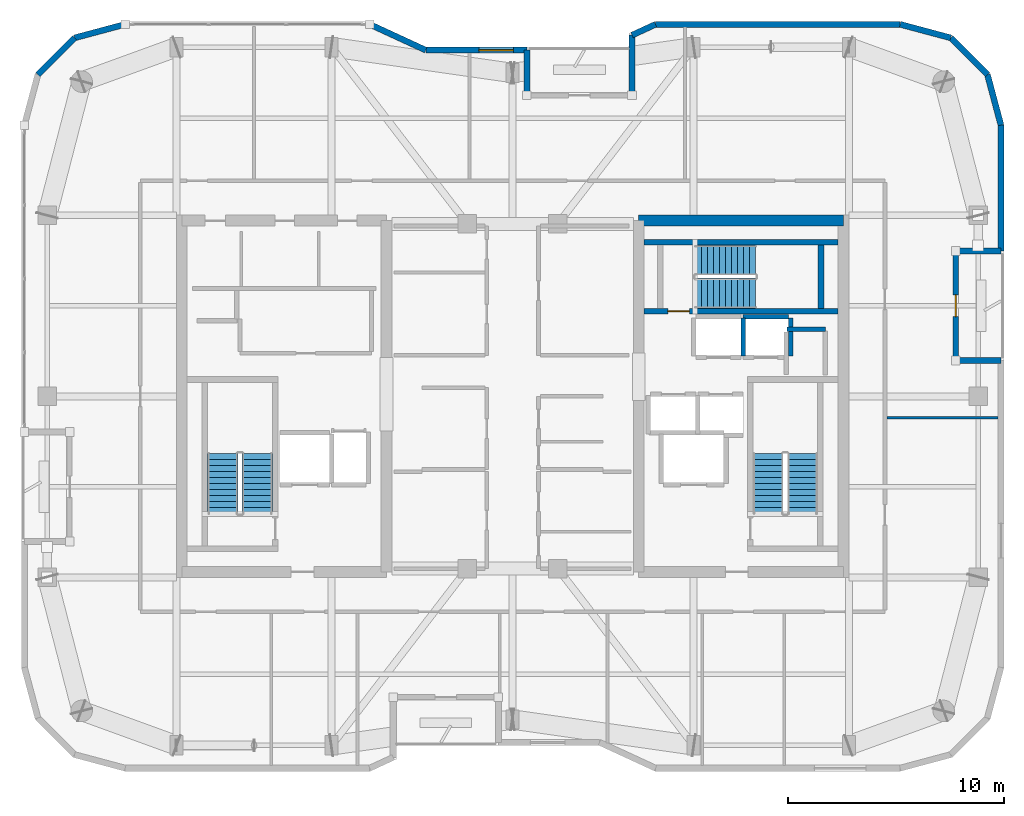
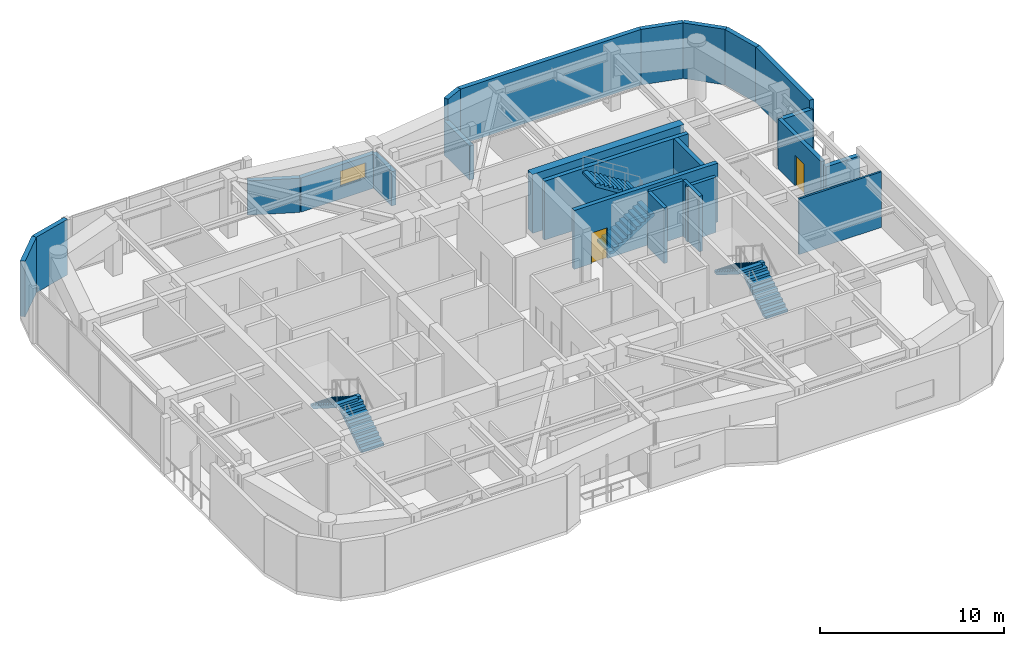
# One storey, part 13 of 15: 24 walls, 6 stair flights, 2 doors, 1 window, 3 openings, 3 elements without a shape of their own.
"""IFC4 building model written with IfcOpenShell, lengths in metres."""

from ifc_helpers import new_model, si_unit, direction, frame, frame_2d, origin, place, context, subcontext, project, spatial, polyline, rectangle, outline, extrude, material, layer, layer_set, type_object, element, fill, aggregate, save


model = new_model("IFC4")

# Units and contexts
model_context = context("Model", 3, precision=1e-05, world=origin(), true_north=direction((0.0, 1.0)))
body_context = subcontext(model_context, "Body", "Model", "MODEL_VIEW")
ifc_project = project(units=[si_unit("LENGTHUNIT", "METRE"), si_unit("AREAUNIT", "SQUARE_METRE"), si_unit("VOLUMEUNIT", "CUBIC_METRE"), si_unit("PLANEANGLEUNIT", "RADIAN"), si_unit("MASSUNIT", "GRAM", prefix="KILO")], contexts=[model_context])

# Site, building, storey
site_placement = place(None, origin())
site = spatial("IfcSite", under=ifc_project, at=site_placement, CompositionType="ELEMENT")
building_placement = place(site_placement, origin())
building = spatial("IfcBuilding", under=site, at=building_placement, Name="Kiyonajd Concourse Tower", CompositionType="ELEMENT")
storey_placement = place(building_placement, frame((0.0, 0.0, 321.89990234375)))
storey = spatial("IfcBuildingStorey", under=building, at=storey_placement, Name="L81", CompositionType="ELEMENT", Elevation=321.89990234375)

# Walls
ifc_material_1 = material(Name="Concrete C60/75", Category="concrete")
ifc_layer_1 = layer(ifc_material_1, 0.5)
ifc_layer_set_1 = layer_set([ifc_layer_1], Name="Concrete C60/75")
wall_type_1 = type_object("IfcWallType", Name="WL-CORE-500", PredefinedType="SHEAR", material=ifc_layer_set_1)
wall_1_placement = place(storey_placement, frame((53.85009765625, 44.14990234375, 0.0), z_axis=(0.0, 0.0, 1.0), x_axis=(1.0, 0.0, 0.0)))
element("IfcWall", 1, at=wall_1_placement, inside=storey, type_object=wall_type_1, Name="L81 East Core North Shear Wall", PredefinedType="SHEAR", context=body_context, shape_type="SweptSolid", body=[
    extrude(rectangle(XDim=9.5, YDim=0.5, at=frame_2d((4.75, 0.0))), origin(), (0.0, 0.0, 1.0), 3.900146484375),
])
ifc_material_2 = material(Name="Precast concrete C50/60", Category="concrete")
ifc_layer_2 = layer(ifc_material_2, 0.280029296875)
ifc_layer_set_2 = layer_set([ifc_layer_2], Name="Precast concrete C50/60")
wall_type_2 = type_object("IfcWallType", Name="WL-EXT-280", PredefinedType="SOLIDWALL", material=ifc_layer_set_2)
wall_2_placement = place(storey_placement, frame((25.968505859375, 50.927490234375, 0.0), z_axis=(0.0, 0.0, 1.0), x_axis=(0.707106781187, 0.707106781187, 0.0)))
element("IfcWall", 2, at=wall_2_placement, inside=storey, type_object=wall_type_2, Name="L81 Exterior Concrete Frame Wall 07", PredefinedType="SOLIDWALL", context=body_context, shape_type="SweptSolid", body=[
    extrude(rectangle(XDim=2.409912109375, YDim=0.280029296875, at=frame_2d((1.205078125, 0.0))), origin(), (0.0, 0.0, 1.0), 3.68017578125),
])
wall_3_placement = place(storey_placement, frame((27.672607421875, 52.631591796875, 0.0), z_axis=(0.0, 0.0, 1.0), x_axis=(0.965937282298, 0.25877628691, 0.0)))
element("IfcWall", 3, at=wall_3_placement, inside=storey, type_object=wall_type_2, Name="L81 Exterior Concrete Frame Wall 08", PredefinedType="SOLIDWALL", context=body_context, shape_type="SweptSolid", body=[
    extrude(rectangle(XDim=2.428466796875, YDim=0.280029296875, at=frame_2d((1.21435546875, 0.0))), origin(), (0.0, 0.0, 1.0), 3.68017578125),
])
wall_4_placement = place(storey_placement, frame((41.369384765625, 53.260009765625, 0.0), z_axis=(0.0, 0.0, 1.0), x_axis=(0.907956889006, -0.419063584324, 0.0)))
element("IfcWall", 4, at=wall_4_placement, inside=storey, type_object=wall_type_2, Name="L81 Exterior Concrete Frame Wall 10", PredefinedType="SOLIDWALL", context=body_context, shape_type="SweptSolid", body=[
    extrude(rectangle(XDim=2.863525390625, YDim=0.280029296875, at=frame_2d((1.431640625, 0.0))), origin(), (0.0, 0.0, 1.0), 2.26513671875),
])

# Wall, opening, window
wall_5_placement = place(storey_placement, frame((43.96923828125, 52.06005859375, 0.0), z_axis=(0.0, 0.0, 1.0), x_axis=(1.0, 0.0, 0.0)))
wall_5 = element("IfcWall", 5, at=wall_5_placement, inside=storey, type_object=wall_type_2, Name="L81 Exterior Concrete Frame Wall 11", PredefinedType="SOLIDWALL", context=body_context, shape_type="SweptSolid", body=[
    extrude(rectangle(XDim=4.690673828125, YDim=0.280029296875, at=frame_2d((2.34521484375, 0.0))), origin(), (0.0, 0.0, 1.0), 2.26513671875),
])
opening_1_placement = place(wall_5_placement, frame((2.466064453125, 0.0, 0.85009765625)))
opening_1 = element("IfcOpeningElement", 6, at=opening_1_placement, cuts=wall_5, Name="Opening WN6", PredefinedType="OPENING", context=body_context, shape_type="SweptSolid", body=[
    extrude(rectangle(XDim=1.60009765625, YDim=1.0, at=frame_2d((0.800048828125, 0.5))), frame((0.0, 0.14990234375, 0.0), z_axis=(0.0, -1.0, 0.0), x_axis=(1.0, 0.0, 0.0)), (0.0, 0.0, 1.0), 0.300048828125),
])
ifc_material_3 = material(Name="Double Low-E Insulated Glass", Category="glass")
window_type = type_object("IfcWindowType", Name="WN-VIS-1600x1000", PartitioningType="SINGLE_PANEL", PredefinedType="WINDOW", material=ifc_material_3)
window_placement = place(opening_1_placement, origin())
window = element("IfcWindow", 7, at=window_placement, inside=storey, type_object=window_type, Name="L81 Modular Facade Vision Window 11", OverallHeight=1.0, OverallWidth=1.60009765625, PartitioningType="SINGLE_PANEL", PredefinedType="WINDOW", context=body_context, shape_type="SweptSolid", body=[
    extrude(rectangle(XDim=1.60009765625, YDim=1.0, at=frame_2d((0.800048828125, 0.5))), frame((0.0, 0.030029296875, 0.0), z_axis=(0.0, -1.0, 0.0), x_axis=(1.0, 0.0, 0.0)), (0.0, 0.0, 1.0), 0.06005859375),
])
fill(opening_1, window)

# Walls
wall_6_placement = place(storey_placement, frame((48.659912109375, 52.06005859375, 0.0), z_axis=(0.0, 0.0, 1.0), x_axis=(0.0, -1.0, 0.0)))
element("IfcWall", 8, at=wall_6_placement, inside=storey, type_object=wall_type_2, Name="L81 Exterior Concrete Frame Wall 12", PredefinedType="SOLIDWALL", context=body_context, shape_type="SweptSolid", body=[
    extrude(rectangle(XDim=2.10009765625, YDim=0.280029296875, at=frame_2d((1.050048828125, 0.0))), origin(), (0.0, 0.0, 1.0), 2.26513671875),
])
wall_7_placement = place(storey_placement, frame((53.5400390625, 49.9599609375, 0.0), z_axis=(0.0, 0.0, 1.0), x_axis=(0.0, 1.0, 0.0)))
element("IfcWall", 9, at=wall_7_placement, inside=storey, type_object=wall_type_2, Name="L81 Exterior Concrete Frame Wall 14", PredefinedType="SOLIDWALL", context=body_context, shape_type="SweptSolid", body=[
    extrude(rectangle(XDim=2.79638671875, YDim=0.280029296875, at=frame_2d((1.398193359375, 0.0))), origin(), (0.0, 0.0, 1.0), 2.26513671875),
])
wall_8_placement = place(storey_placement, frame((53.5400390625, 52.75634765625, 0.0), z_axis=(0.0, 0.0, 1.0), x_axis=(0.907893953211, 0.419199916176, 0.0)))
element("IfcWall", 10, at=wall_8_placement, inside=storey, type_object=wall_type_2, Name="L81 Exterior Concrete Frame Wall 15", PredefinedType="SOLIDWALL", context=body_context, shape_type="SweptSolid", body=[
    extrude(rectangle(XDim=1.201416015625, YDim=0.280029296875, at=frame_2d((0.6005859375, 0.0))), origin(), (0.0, 0.0, 1.0), 3.68017578125),
])
wall_9_placement = place(storey_placement, frame((54.630859375, 53.260009765625, 0.0), z_axis=(0.0, 0.0, 1.0), x_axis=(1.0, 0.0, 0.0)))
element("IfcWall", 11, at=wall_9_placement, inside=storey, type_object=wall_type_2, Name="L81 Exterior Concrete Frame Wall 16", PredefinedType="SOLIDWALL", context=body_context, shape_type="SweptSolid", body=[
    extrude(rectangle(XDim=11.350830078125, YDim=0.280029296875, at=frame_2d((5.67529296875, 0.0))), origin(), (0.0, 0.0, 1.0), 3.68017578125),
])
wall_10_placement = place(storey_placement, frame((65.981689453125, 53.260009765625, 0.0), z_axis=(0.0, 0.0, 1.0), x_axis=(0.965937282298, -0.25877628691, 0.0)))
element("IfcWall", 12, at=wall_10_placement, inside=storey, type_object=wall_type_2, Name="L81 Exterior Concrete Frame Wall 17", PredefinedType="SOLIDWALL", context=body_context, shape_type="SweptSolid", body=[
    extrude(rectangle(XDim=2.428466796875, YDim=0.280029296875, at=frame_2d((1.21435546875, 0.0))), origin(), (0.0, 0.0, 1.0), 3.68017578125),
])
wall_11_placement = place(storey_placement, frame((68.327392578125, 52.631591796875, 0.0), z_axis=(0.0, 0.0, 1.0), x_axis=(0.707106781187, -0.707106781187, 0.0)))
element("IfcWall", 13, at=wall_11_placement, inside=storey, type_object=wall_type_2, Name="L81 Exterior Concrete Frame Wall 18", PredefinedType="SOLIDWALL", context=body_context, shape_type="SweptSolid", body=[
    extrude(rectangle(XDim=2.409912109375, YDim=0.280029296875, at=frame_2d((1.205078125, 0.0))), origin(), (0.0, 0.0, 1.0), 3.68017578125),
])
wall_12_placement = place(storey_placement, frame((70.031494140625, 50.927490234375, 0.0), z_axis=(0.0, 0.0, 1.0), x_axis=(0.258751159445, -0.965944013639, 0.0)))
element("IfcWall", 14, at=wall_12_placement, inside=storey, type_object=wall_type_2, Name="L81 Exterior Concrete Frame Wall 19", PredefinedType="SOLIDWALL", context=body_context, shape_type="SweptSolid", body=[
    extrude(rectangle(XDim=2.4287109375, YDim=0.280029296875, at=frame_2d((1.21435546875, 0.0))), origin(), (0.0, 0.0, 1.0), 3.68017578125),
])
wall_13_placement = place(storey_placement, frame((70.659912109375, 48.58154296875, 0.0), z_axis=(0.0, 0.0, 1.0), x_axis=(0.0, -1.0, 0.0)))
element("IfcWall", 15, at=wall_13_placement, inside=storey, type_object=wall_type_2, Name="L81 Exterior Concrete Frame Wall 20", PredefinedType="SOLIDWALL", context=body_context, shape_type="SweptSolid", body=[
    extrude(rectangle(XDim=5.841552734375, YDim=0.280029296875, at=frame_2d((2.9208984375, 0.0))), origin(), (0.0, 0.0, 1.0), 3.68017578125),
])
for number, where, z_axis, x_axis, name in (
    (16, (70.659912109375, 42.739990234375, 0.0), (0.0, 0.0, 1.0), (-1.0, 0.0, 0.0), "L81 Exterior Concrete Frame Wall 21"),
    (17, (68.56005859375, 37.659912109375, 0.0), (0.0, 0.0, 1.0), (1.0, 0.0, 0.0), "L81 Exterior Concrete Frame Wall 23"),
):
    element("IfcWall", number, at=place(storey_placement, frame(where, z_axis=z_axis, x_axis=x_axis)), inside=storey, type_object=wall_type_2, Name=name, PredefinedType="SOLIDWALL", context=body_context, shape_type="SweptSolid", body=[
        extrude(rectangle(XDim=2.099853515625, YDim=0.280029296875, at=frame_2d((1.0498046875, 0.0))), origin(), (0.0, 0.0, 1.0), 3.1259765625),
    ])

# Wall, opening, door
ifc_layer_3 = layer(ifc_material_2, 0.239990234375)
ifc_layer_set_3 = layer_set([ifc_layer_3], Name="Precast concrete C50/60")
wall_type_3 = type_object("IfcWallType", Name="WL-LOG-240", PredefinedType="SOLIDWALL", material=ifc_layer_set_3)
wall_14_placement = place(storey_placement, frame((68.56005859375, 42.544921875, 0.0), z_axis=(0.0, 0.0, 1.0), x_axis=(0.0, -1.0, 0.0)))
wall_14 = element("IfcWall", 18, at=wall_14_placement, inside=storey, type_object=wall_type_3, Name="L81 Recessed Loggia Thermal Wall LOG-E", PredefinedType="SOLIDWALL", context=body_context, shape_type="SweptSolid", body=[
    extrude(rectangle(XDim=4.68994140625, YDim=0.239990234375, at=frame_2d((2.344970703125, 0.0))), origin(), (0.0, 0.0, 1.0), 3.31103515625),
])
opening_2_placement = place(wall_14_placement, frame((1.844970703125, 0.0, 0.0)))
opening_2 = element("IfcOpeningElement", 19, at=opening_2_placement, cuts=wall_14, Name="Opening DL1", PredefinedType="OPENING", context=body_context, shape_type="SweptSolid", body=[
    extrude(rectangle(XDim=1.0, YDim=2.02001953125, at=frame_2d((0.5, 1.010009765625))), frame((0.0, 0.1298828125, 0.0), z_axis=(0.0, -1.0, 0.0), x_axis=(1.0, 0.0, 0.0)), (0.0, 0.0, 1.0), 0.260009765625),
])
ifc_material_4 = material(Name="Thermally Broken Anodised Aluminium", Category="aluminium")
door_type_1 = type_object("IfcDoorType", Name="DR-LOG-1000", OperationType="NOTDEFINED", PredefinedType="DOOR", material=ifc_material_4)
door_1_placement = place(opening_2_placement, origin())
door_1 = element("IfcDoor", 20, at=door_1_placement, inside=storey, type_object=door_type_1, Name="L81 Engawa Loggia Access Door LOG-E", OperationType="SINGLE_SWING_LEFT", OverallHeight=2.02001953125, OverallWidth=1.0, PredefinedType="DOOR", context=body_context, shape_type="SweptSolid", body=[
    extrude(rectangle(XDim=1.0, YDim=2.02001953125, at=frame_2d((0.5, 1.010009765625))), frame((0.0, 0.02490234375, 0.0), z_axis=(0.0, -1.0, 0.0), x_axis=(1.0, 0.0, 0.0)), (0.0, 0.0, 1.0), 0.050048828125),
])
fill(opening_2, door_1)

# Walls
ifc_material_5 = material(Name="Gypsum Board on Cold-Formed Steel Stud", Category="steel")
ifc_layer_4 = layer(ifc_material_5, 0.125)
ifc_layer_set_4 = layer_set([ifc_layer_4], Name="Gypsum Board on Cold-Formed Steel Stud")
wall_type_4 = type_object("IfcWallType", Name="WL-PART-125", PredefinedType="PARTITIONING", material=ifc_layer_set_4)
wall_15_placement = place(storey_placement, frame((65.362060546875, 35.0, 0.0), z_axis=(0.0, 0.0, 1.0), x_axis=(1.0, 0.0, 0.0)))
element("IfcWall", 21, at=wall_15_placement, inside=storey, type_object=wall_type_4, Name="L81 Interior Partition Wall", PredefinedType="PARTITIONING", context=body_context, shape_type="SweptSolid", body=[
    extrude(rectangle(XDim=5.162841796875, YDim=0.125, at=frame_2d((2.58154296875, 0.0))), origin(), (0.0, 0.0, 1.0), 3.68017578125),
])
ifc_layer_5 = layer(ifc_material_5, 0.2099609375)
ifc_layer_set_5 = layer_set([ifc_layer_5], Name="Gypsum Board on Cold-Formed Steel Stud")
wall_type_5 = type_object("IfcWallType", Name="WL-SHAFT-210", PredefinedType="PARTITIONING", material=ifc_layer_set_5)
wall_16_placement = place(storey_placement, frame((60.719970703125, 39.10009765625, 0.0), z_axis=(0.0, 0.0, 1.0), x_axis=(1.0, 0.0, 0.0)))
element("IfcWall", 22, at=wall_16_placement, inside=storey, type_object=wall_type_5, Name="L81 Shaft Enclosure Wall", PredefinedType="PARTITIONING", context=body_context, shape_type="SweptSolid", body=[
    extrude(rectangle(XDim=1.800048828125, YDim=0.2099609375, at=frame_2d((0.89990234375, 0.0))), origin(), (0.0, 0.0, 1.0), 3.68017578125),
])
wall_17_placement = place(storey_placement, frame((58.699951171875, 37.860107421875, 0.0), z_axis=(0.0, 0.0, 1.0), x_axis=(0.0, 1.0, 0.0)))
element("IfcWall", 23, at=wall_17_placement, inside=storey, type_object=wall_type_5, Name="L81 Shaft Enclosure Wall", PredefinedType="PARTITIONING", context=body_context, shape_type="SweptSolid", body=[
    extrude(rectangle(XDim=1.77978515625, YDim=0.2099609375, at=frame_2d((0.889892578125, 0.0))), origin(), (0.0, 0.0, 1.0), 3.68017578125),
])
wall_18_placement = place(storey_placement, frame((58.699951171875, 39.699951171875, 0.0), z_axis=(0.0, 0.0, 1.0), x_axis=(1.0, 0.0, 0.0)))
element("IfcWall", 24, at=wall_18_placement, inside=storey, type_object=wall_type_5, Name="L81 Shaft Enclosure Wall", PredefinedType="PARTITIONING", context=body_context, shape_type="SweptSolid", body=[
    extrude(rectangle(XDim=2.10009765625, YDim=0.2099609375, at=frame_2d((1.050048828125, 0.0))), origin(), (0.0, 0.0, 1.0), 3.68017578125),
])
wall_19_placement = place(storey_placement, frame((60.89990234375, 37.860107421875, 0.0), z_axis=(0.0, 0.0, 1.0), x_axis=(0.0, 1.0, 0.0)))
element("IfcWall", 25, at=wall_19_placement, inside=storey, type_object=wall_type_5, Name="L81 Shaft Enclosure Wall", PredefinedType="PARTITIONING", context=body_context, shape_type="SweptSolid", body=[
    extrude(rectangle(XDim=1.77978515625, YDim=0.2099609375, at=frame_2d((0.889892578125, 0.0))), origin(), (0.0, 0.0, 1.0), 3.68017578125),
])

# Wall, opening, door
ifc_material_6 = material(Name="Concrete C50/60", Category="concrete")
ifc_layer_6 = layer(ifc_material_6, 0.260009765625)
ifc_layer_set_6 = layer_set([ifc_layer_6], Name="Concrete C50/60")
wall_type_6 = type_object("IfcWallType", Name="WL-STAIR-260", PredefinedType="SHEAR", material=ifc_layer_set_6)
wall_20_placement = place(storey_placement, frame((54.10009765625, 39.949951171875, 0.0), z_axis=(0.0, 0.0, 1.0), x_axis=(1.0, 0.0, 0.0)))
wall_20 = element("IfcWall", 26, at=wall_20_placement, inside=storey, type_object=wall_type_6, Name="L81 Stair ST3 Structural South Wall", PredefinedType="SHEAR", context=body_context, shape_type="SweptSolid", body=[
    extrude(rectangle(XDim=9.0, YDim=0.260009765625, at=frame_2d((4.5, 0.0))), origin(), (0.0, 0.0, 1.0), 3.900146484375),
])
opening_3_placement = place(wall_20_placement, frame((1.10009765625, 0.0, 0.0)))
opening_3 = element("IfcOpeningElement", 27, at=opening_3_placement, cuts=wall_20, Name="Opening DF1", PredefinedType="OPENING", context=body_context, shape_type="SweptSolid", body=[
    extrude(rectangle(XDim=1.0, YDim=2.0400390625, at=frame_2d((0.5, 1.02001953125))), frame((0.0, 0.139892578125, 0.0), z_axis=(0.0, -1.0, 0.0), x_axis=(1.0, 0.0, 0.0)), (0.0, 0.0, 1.0), 0.280029296875),
])
ifc_material_7 = material(Name="Brushed Stainless Steel Cab Assembly", Category="steel")
door_type_2 = type_object("IfcDoorType", Name="DR-FD90-1000", OperationType="NOTDEFINED", PredefinedType="DOOR", material=ifc_material_7)
door_2_placement = place(opening_3_placement, origin())
door_2 = element("IfcDoor", 28, at=door_2_placement, inside=storey, type_object=door_type_2, Name="L81 Stair ST3 Enclosure Door", OperationType="SINGLE_SWING_LEFT", OverallHeight=2.0400390625, OverallWidth=1.0, PredefinedType="DOOR", context=body_context, shape_type="SweptSolid", body=[
    extrude(rectangle(XDim=1.0, YDim=2.0400390625, at=frame_2d((0.5, 1.02001953125))), frame((0.0, 0.02490234375, 0.0), z_axis=(0.0, -1.0, 0.0), x_axis=(1.0, 0.0, 0.0)), (0.0, 0.0, 1.0), 0.050048828125),
])
fill(opening_3, door_2)

# Walls
wall_21_placement = place(storey_placement, frame((54.10009765625, 43.14990234375, 0.0), z_axis=(0.0, 0.0, 1.0), x_axis=(1.0, 0.0, 0.0)))
element("IfcWall", 29, at=wall_21_placement, inside=storey, type_object=wall_type_6, Name="L81 Stair ST3 Structural North Wall", PredefinedType="SHEAR", context=body_context, shape_type="SweptSolid", body=[
    extrude(rectangle(XDim=9.0, YDim=0.260009765625, at=frame_2d((4.5, 0.0))), origin(), (0.0, 0.0, 1.0), 3.900146484375),
])
wall_22_placement = place(storey_placement, frame((62.31005859375, 40.080078125, 0.0), z_axis=(0.0, 0.0, 1.0), x_axis=(0.0, 1.0, 0.0)))
element("IfcWall", 30, at=wall_22_placement, inside=storey, type_object=wall_type_6, Name="L81 Stair ST3 Structural East Wall", PredefinedType="SHEAR", context=body_context, shape_type="SweptSolid", body=[
    extrude(rectangle(XDim=2.93994140625, YDim=0.260009765625, at=frame_2d((1.469970703125, 0.0))), origin(), (0.0, 0.0, 1.0), 3.900146484375),
])

# Stair, stair flights
ifc_material_8 = material(Name="Concrete C40/50", Category="concrete")
stair_type = type_object("IfcStairType", Name="ST-DLG-22R", PredefinedType="HALF_TURN_STAIR", material=ifc_material_8)
stair_1_placement = place(storey_placement, origin())
stair_1 = element("IfcStair", 31, at=stair_1_placement, inside=storey, type_object=stair_type, Name="L81 Protected Exit Stair ST1", PredefinedType="HALF_TURN_STAIR")
stair_flight_type = type_object("IfcStairFlightType", Name="SF-STR-22R", PredefinedType="STRAIGHT", material=ifc_material_8)
stair_flight_1_placement = place(storey_placement, frame((36.14990234375, 30.550048828125, 0.0), z_axis=(0.0, 0.0, 1.0), x_axis=(0.0, 1.0, 0.0)))
stair_flight_1 = element("IfcStairFlight", 32, at=stair_flight_1_placement, type_object=stair_flight_type, Name="ST1 flight 1", NumberOfRisers=11, NumberOfTreads=10, PredefinedType="STRAIGHT", RiserHeight=0.177272727, TreadLength=0.28, context=body_context, shape_type="SweptSolid", body=[
    extrude(outline(polyline([(0.0, 0.0), (0.0, 0.17724609375), (0.280029296875, 0.17724609375), (0.280029296875, 0.3544921875), (0.56005859375, 0.3544921875), (0.56005859375, 0.53173828125), (0.840087890625, 0.53173828125), (0.840087890625, 0.708984375), (1.1201171875, 0.708984375), (1.1201171875, 0.886474609375), (1.39990234375, 0.886474609375), (1.39990234375, 1.063720703125), (1.679931640625, 1.063720703125), (1.679931640625, 1.240966796875), (1.9599609375, 1.240966796875), (1.9599609375, 1.418212890625), (2.239990234375, 1.418212890625), (2.239990234375, 1.595458984375), (2.52001953125, 1.595458984375), (2.52001953125, 1.772705078125), (2.800048828125, 1.772705078125), (2.800048828125, 1.949951171875), (2.800048828125, 1.59521484375), (0.2802734375, 0.0), (0.0, 0.0)])), frame((0.0, 0.699951171875, 0.0), z_axis=(0.0, -1.0, 0.0), x_axis=(1.0, 0.0, 0.0)), (0.0, 0.0, 1.0), 1.39990234375),
])
stair_flight_2_placement = place(storey_placement, frame((34.550048828125, 33.35009765625, 1.9501953125), z_axis=(0.0, 0.0, 1.0), x_axis=(0.0, -1.0, 0.0)))
stair_flight_2 = element("IfcStairFlight", 33, at=stair_flight_2_placement, type_object=stair_flight_type, Name="ST1 flight 2", NumberOfRisers=11, NumberOfTreads=10, PredefinedType="STRAIGHT", RiserHeight=0.177272727, TreadLength=0.28, context=body_context, shape_type="SweptSolid", body=[
    extrude(outline(polyline([(0.0, 0.0), (0.0, 0.17724609375), (0.280029296875, 0.17724609375), (0.280029296875, 0.3544921875), (0.56005859375, 0.3544921875), (0.56005859375, 0.53173828125), (0.840087890625, 0.53173828125), (0.840087890625, 0.708984375), (1.1201171875, 0.708984375), (1.1201171875, 0.886474609375), (1.39990234375, 0.886474609375), (1.39990234375, 1.063720703125), (1.679931640625, 1.063720703125), (1.679931640625, 1.240966796875), (1.9599609375, 1.240966796875), (1.9599609375, 1.418212890625), (2.239990234375, 1.418212890625), (2.239990234375, 1.595458984375), (2.52001953125, 1.595458984375), (2.52001953125, 1.772705078125), (2.800048828125, 1.772705078125), (2.800048828125, 1.949951171875), (2.800048828125, 1.59521484375), (0.2802734375, 0.0), (0.0, 0.0)])), frame((0.0, 0.699951171875, 0.0), z_axis=(0.0, -1.0, 0.0), x_axis=(1.0, 0.0, 0.0)), (0.0, 0.0, 1.0), 1.39990234375),
])
aggregate(stair_1, [stair_flight_1, stair_flight_2])

stair_2_placement = place(storey_placement, origin())
stair_2 = element("IfcStair", 34, at=stair_2_placement, inside=storey, type_object=stair_type, Name="L81 Protected Exit Stair ST2", PredefinedType="HALF_TURN_STAIR")
stair_flight_3_placement = place(storey_placement, frame((61.449951171875, 30.550048828125, 0.0), z_axis=(0.0, 0.0, 1.0), x_axis=(0.0, 1.0, 0.0)))
stair_flight_3 = element("IfcStairFlight", 35, at=stair_flight_3_placement, type_object=stair_flight_type, Name="ST2 flight 1", NumberOfRisers=11, NumberOfTreads=10, PredefinedType="STRAIGHT", RiserHeight=0.177272727, TreadLength=0.28, context=body_context, shape_type="SweptSolid", body=[
    extrude(outline(polyline([(0.0, 0.0), (0.0, 0.17724609375), (0.280029296875, 0.17724609375), (0.280029296875, 0.3544921875), (0.56005859375, 0.3544921875), (0.56005859375, 0.53173828125), (0.840087890625, 0.53173828125), (0.840087890625, 0.708984375), (1.1201171875, 0.708984375), (1.1201171875, 0.886474609375), (1.39990234375, 0.886474609375), (1.39990234375, 1.063720703125), (1.679931640625, 1.063720703125), (1.679931640625, 1.240966796875), (1.9599609375, 1.240966796875), (1.9599609375, 1.418212890625), (2.239990234375, 1.418212890625), (2.239990234375, 1.595458984375), (2.52001953125, 1.595458984375), (2.52001953125, 1.772705078125), (2.800048828125, 1.772705078125), (2.800048828125, 1.949951171875), (2.800048828125, 1.59521484375), (0.2802734375, 0.0), (0.0, 0.0)])), frame((0.0, 0.699951171875, 0.0), z_axis=(0.0, -1.0, 0.0), x_axis=(1.0, 0.0, 0.0)), (0.0, 0.0, 1.0), 1.39990234375),
])
stair_flight_4_placement = place(storey_placement, frame((59.85009765625, 33.35009765625, 1.9501953125), z_axis=(0.0, 0.0, 1.0), x_axis=(0.0, -1.0, 0.0)))
stair_flight_4 = element("IfcStairFlight", 36, at=stair_flight_4_placement, type_object=stair_flight_type, Name="ST2 flight 2", NumberOfRisers=11, NumberOfTreads=10, PredefinedType="STRAIGHT", RiserHeight=0.177272727, TreadLength=0.28, context=body_context, shape_type="SweptSolid", body=[
    extrude(outline(polyline([(0.0, 0.0), (0.0, 0.17724609375), (0.280029296875, 0.17724609375), (0.280029296875, 0.3544921875), (0.56005859375, 0.3544921875), (0.56005859375, 0.53173828125), (0.840087890625, 0.53173828125), (0.840087890625, 0.708984375), (1.1201171875, 0.708984375), (1.1201171875, 0.886474609375), (1.39990234375, 0.886474609375), (1.39990234375, 1.063720703125), (1.679931640625, 1.063720703125), (1.679931640625, 1.240966796875), (1.9599609375, 1.240966796875), (1.9599609375, 1.418212890625), (2.239990234375, 1.418212890625), (2.239990234375, 1.595458984375), (2.52001953125, 1.595458984375), (2.52001953125, 1.772705078125), (2.800048828125, 1.772705078125), (2.800048828125, 1.949951171875), (2.800048828125, 1.59521484375), (0.2802734375, 0.0), (0.0, 0.0)])), frame((0.0, 0.699951171875, 0.0), z_axis=(0.0, -1.0, 0.0), x_axis=(1.0, 0.0, 0.0)), (0.0, 0.0, 1.0), 1.39990234375),
])
aggregate(stair_2, [stair_flight_3, stair_flight_4])

stair_3_placement = place(storey_placement, origin())
stair_3 = element("IfcStair", 37, at=stair_3_placement, inside=storey, type_object=stair_type, Name="L81 Protected Exit Stair ST3", PredefinedType="HALF_TURN_STAIR")
stair_flight_5_placement = place(storey_placement, frame((56.47998046875, 40.780029296875, 0.0), z_axis=(0.0, 0.0, 1.0), x_axis=(1.0, 0.0, 0.0)))
stair_flight_5 = element("IfcStairFlight", 38, at=stair_flight_5_placement, type_object=stair_flight_type, Name="ST3 flight 1", NumberOfRisers=11, NumberOfTreads=10, PredefinedType="STRAIGHT", RiserHeight=0.177272727, TreadLength=0.28, context=body_context, shape_type="SweptSolid", body=[
    extrude(outline(polyline([(0.0, 0.0), (0.0, 0.17724609375), (0.280029296875, 0.17724609375), (0.280029296875, 0.3544921875), (0.56005859375, 0.3544921875), (0.56005859375, 0.53173828125), (0.840087890625, 0.53173828125), (0.840087890625, 0.708984375), (1.1201171875, 0.708984375), (1.1201171875, 0.886474609375), (1.39990234375, 0.886474609375), (1.39990234375, 1.063720703125), (1.679931640625, 1.063720703125), (1.679931640625, 1.240966796875), (1.9599609375, 1.240966796875), (1.9599609375, 1.418212890625), (2.239990234375, 1.418212890625), (2.239990234375, 1.595458984375), (2.52001953125, 1.595458984375), (2.52001953125, 1.772705078125), (2.800048828125, 1.772705078125), (2.800048828125, 1.949951171875), (2.800048828125, 1.59521484375), (0.2802734375, 0.0), (0.0, 0.0)])), frame((0.0, 0.699951171875, 0.0), z_axis=(0.0, -1.0, 0.0), x_axis=(1.0, 0.0, 0.0)), (0.0, 0.0, 1.0), 1.39990234375),
])
stair_flight_6_placement = place(storey_placement, frame((59.280029296875, 42.320068359375, 1.9501953125), z_axis=(0.0, 0.0, 1.0), x_axis=(-1.0, 0.0, 0.0)))
stair_flight_6 = element("IfcStairFlight", 39, at=stair_flight_6_placement, type_object=stair_flight_type, Name="ST3 flight 2", NumberOfRisers=11, NumberOfTreads=10, PredefinedType="STRAIGHT", RiserHeight=0.177272727, TreadLength=0.28, context=body_context, shape_type="SweptSolid", body=[
    extrude(outline(polyline([(0.0, 0.0), (0.0, 0.17724609375), (0.280029296875, 0.17724609375), (0.280029296875, 0.3544921875), (0.56005859375, 0.3544921875), (0.56005859375, 0.53173828125), (0.840087890625, 0.53173828125), (0.840087890625, 0.708984375), (1.1201171875, 0.708984375), (1.1201171875, 0.886474609375), (1.39990234375, 0.886474609375), (1.39990234375, 1.063720703125), (1.679931640625, 1.063720703125), (1.679931640625, 1.240966796875), (1.9599609375, 1.240966796875), (1.9599609375, 1.418212890625), (2.239990234375, 1.418212890625), (2.239990234375, 1.595458984375), (2.52001953125, 1.595458984375), (2.52001953125, 1.772705078125), (2.800048828125, 1.772705078125), (2.800048828125, 1.949951171875), (2.800048828125, 1.59521484375), (0.2802734375, 0.0), (0.0, 0.0)])), frame((0.0, 0.699951171875, 0.0), z_axis=(0.0, -1.0, 0.0), x_axis=(1.0, 0.0, 0.0)), (0.0, 0.0, 1.0), 1.39990234375),
])
aggregate(stair_3, [stair_flight_5, stair_flight_6])

save(model, "model.ifc")
